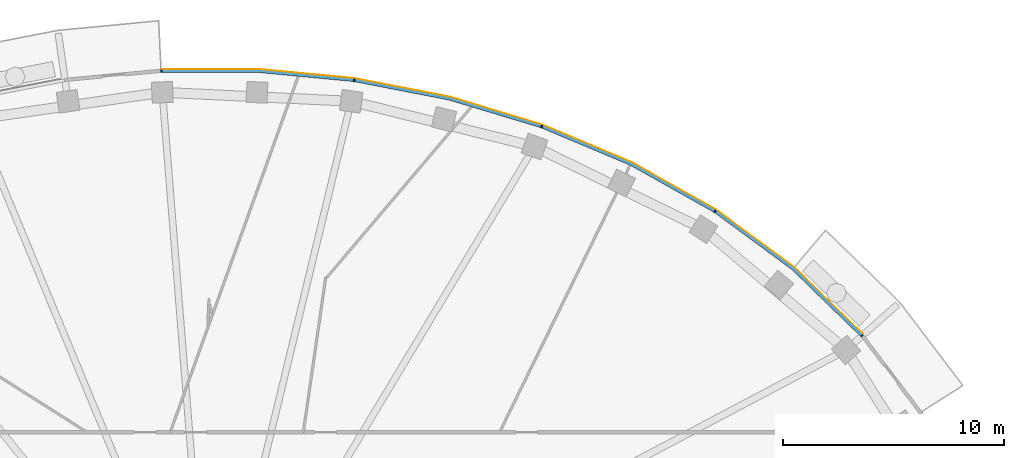
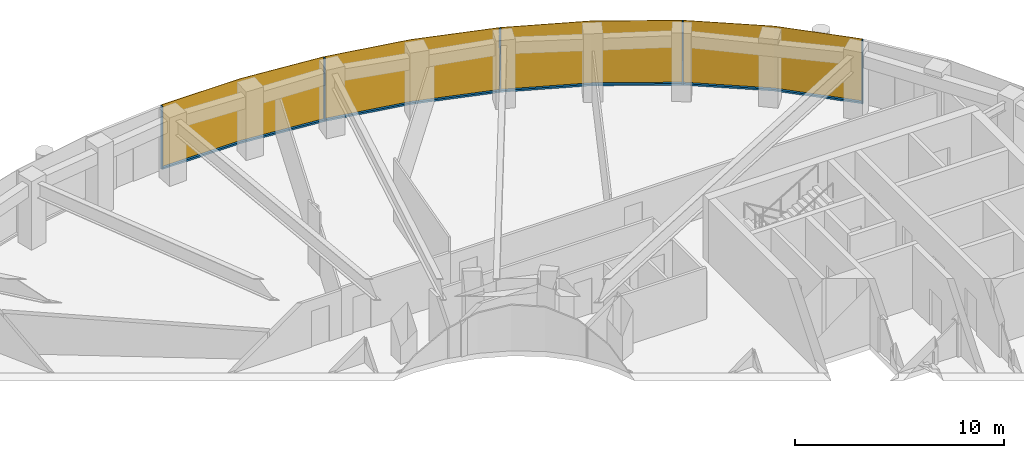
# One storey, part 13 of 16: 9 members, 1 curtain wall.
"""IFC4 building model written with IfcOpenShell, lengths in metres."""

from ifc_helpers import new_model, si_unit, direction, frame, origin, origin_2d, place, context, subcontext, project, spatial, polyline, rectangle, outline, extrude, material, layer, layer_set, material_profile, profile_set, type_object, element, aggregate, save


model = new_model("IFC4")

# Units and contexts
model_context = context("Model", 3, precision=1e-05, world=origin(), true_north=direction((0.0, 1.0)))
body_context = subcontext(model_context, "Body", "Model", "MODEL_VIEW")
ifc_project = project(units=[si_unit("LENGTHUNIT", "METRE"), si_unit("AREAUNIT", "SQUARE_METRE"), si_unit("VOLUMEUNIT", "CUBIC_METRE"), si_unit("PLANEANGLEUNIT", "RADIAN"), si_unit("MASSUNIT", "GRAM", prefix="KILO")], contexts=[model_context])

# Member
ifc_material_1 = material(Name="Aluminium 6063-T6 black anodised", Category="aluminium")
ifc_material_profile = material_profile(ifc_material_1, rectangle(XDim=0.1201171875, YDim=0.06005859375, at=origin_2d()), Name="120x60")
ifc_profile_set = profile_set([ifc_material_profile], Name="Aluminium 6063-T6 black anodised")
member_type_1 = type_object("IfcMemberType", Name="ENV-MULLION-A-120", PredefinedType="MULLION", material=ifc_profile_set)
site_placement = place(None, origin())
building_placement = place(site_placement, origin())
storey_placement = place(building_placement, frame((0.0, 0.0, 299.0)))
member_1_placement = place(storey_placement, frame((29.53857421875, 15.8671875, 0.0), z_axis=(0.0, 0.0, 1.0), x_axis=(-0.749047221705, -0.662516610853, 0.0)))
member_1 = element("IfcMember", 1, at=member_1_placement, type_object=member_type_1, Name="Mullion A radial 05", PredefinedType="MULLION", context=body_context, shape_type="SweptSolid", body=[
    extrude(rectangle(XDim=0.1201171875, YDim=0.06005859375, at=origin_2d()), origin(), (0.0, 0.0, 1.0), 3.699951171875),
])

member_2_placement = place(storey_placement, frame((22.882568359375, 21.506591796875, 0.0), z_axis=(0.0, 0.0, 1.0), x_axis=(-0.542279153225, -0.840198381323, 0.0)))
member_2 = element("IfcMember", 2, at=member_2_placement, type_object=member_type_1, Name="Mullion A radial 07", PredefinedType="MULLION", context=body_context, shape_type="SweptSolid", body=[
    extrude(rectangle(XDim=0.1201171875, YDim=0.06005859375, at=origin_2d()), origin(), (0.0, 0.0, 1.0), 3.699951171875),
])

member_3_placement = place(storey_placement, frame((15.0341796875, 25.34375, 0.0), z_axis=(0.0, 0.0, 1.0), x_axis=(-0.338379256581, -0.941009818608, 0.0)))
member_3 = element("IfcMember", 3, at=member_3_placement, type_object=member_type_1, Name="Mullion A radial 09", PredefinedType="MULLION", context=body_context, shape_type="SweptSolid", body=[
    extrude(rectangle(XDim=0.1201171875, YDim=0.06005859375, at=origin_2d()), origin(), (0.0, 0.0, 1.0), 3.699951171875),
])

member_4_placement = place(storey_placement, frame((6.54638671875, 27.440185546875, 0.0), z_axis=(0.0, 0.0, 1.0), x_axis=(-0.143082012705, -0.989710835366, 0.0)))
member_4 = element("IfcMember", 4, at=member_4_placement, type_object=member_type_1, Name="Mullion A radial 11", PredefinedType="MULLION", context=body_context, shape_type="SweptSolid", body=[
    extrude(rectangle(XDim=0.1201171875, YDim=0.06005859375, at=origin_2d()), origin(), (0.0, 0.0, 1.0), 3.699951171875),
])

member_5_placement = place(storey_placement, frame((-2.188720703125, 27.856201171875, 0.0), z_axis=(0.0, 0.0, 1.0), x_axis=(0.047557873581, -0.998868484166, 0.0)))
member_5 = element("IfcMember", 5, at=member_5_placement, type_object=member_type_1, Name="Mullion A radial 13", PredefinedType="MULLION", context=body_context, shape_type="SweptSolid", body=[
    extrude(rectangle(XDim=0.1201171875, YDim=0.06005859375, at=origin_2d()), origin(), (0.0, 0.0, 1.0), 3.699951171875),
])

ifc_material_2 = material(Name="Aluminium 6063-T6 black anodised", Category="aluminium")
member_type_2 = type_object("IfcMemberType", Name="ENV-TRANSOM-A", PredefinedType="USERDEFINED", material=ifc_material_2)
member_6_placement = place(storey_placement, origin())
member_6 = element("IfcMember", 6, at=member_6_placement, type_object=member_type_2, Name="Transom A radial 05-07", ObjectType="TRANSOM", PredefinedType="USERDEFINED", context=body_context, shape_type="SweptSolid", body=[
    extrude(outline(polyline([(29.5634765625, 15.926513671875), (26.4423828125, 18.958740234375), (22.937744140625, 21.540283203125), (22.87255859375, 21.439208984375), (26.364501953125, 18.866943359375), (29.473388671875, 15.8466796875), (29.5634765625, 15.926513671875)])), origin(), (0.0, 0.0, 1.0), 0.10009765625),
])

member_7_placement = place(storey_placement, origin())
member_7 = element("IfcMember", 7, at=member_7_placement, type_object=member_type_2, Name="Transom A radial 07-09", ObjectType="TRANSOM", PredefinedType="USERDEFINED", context=body_context, shape_type="SweptSolid", body=[
    extrude(outline(polyline([(22.890625, 21.570556640625), (19.093994140625, 23.701416015625), (15.080322265625, 25.389404296875), (15.03955078125, 25.276123046875), (19.041259765625, 23.593505859375), (22.825439453125, 21.469482421875), (22.890625, 21.570556640625)])), origin(), (0.0, 0.0, 1.0), 0.10009765625),
])

member_8_placement = place(storey_placement, origin())
member_8 = element("IfcMember", 8, at=member_8_placement, type_object=member_type_2, Name="Transom A radial 09-11", ObjectType="TRANSOM", PredefinedType="USERDEFINED", context=body_context, shape_type="SweptSolid", body=[
    extrude(outline(polyline([(15.027587890625, 25.408203125), (10.857666015625, 26.6630859375), (6.58251953125, 27.494140625), (6.5654296875, 27.375244140625), (10.828857421875, 26.54638671875), (14.987060546875, 25.295166015625), (15.027587890625, 25.408203125)])), origin(), (0.0, 0.0, 1.0), 0.10009765625),
])

member_9_placement = place(storey_placement, origin())
member_9 = element("IfcMember", 9, at=member_9_placement, type_object=member_type_2, Name="Transom A radial 11-13", ObjectType="TRANSOM", PredefinedType="USERDEFINED", context=body_context, shape_type="SweptSolid", body=[
    extrude(outline(polyline([(6.527099609375, 27.502197265625), (2.191650390625, 27.916015625), (-2.163818359375, 27.916015625), (-2.157958984375, 27.7958984375), (2.185791015625, 27.7958984375), (6.510009765625, 27.38330078125), (6.527099609375, 27.502197265625)])), origin(), (0.0, 0.0, 1.0), 0.10009765625),
])

# Site, building, storey
site = spatial("IfcSite", under=ifc_project, at=site_placement, CompositionType="ELEMENT")
building = spatial("IfcBuilding", under=site, at=building_placement, Name="Noorbagh Ring Tower", CompositionType="ELEMENT")
storey = spatial("IfcBuildingStorey", under=building, at=storey_placement, Name="L64", CompositionType="ELEMENT", Elevation=299.0)

# Curtain wall
ifc_material_3 = material(Name="Glass dark tinted laminated", Category="glass")
ifc_layer = layer(ifc_material_3, 0.031982421875)
ifc_layer_set = layer_set([ifc_layer], Name="Glass dark tinted laminated")
curtain_wall_type = type_object("IfcCurtainWallType", Name="ENV-CW-A", PredefinedType="NOTDEFINED", material=ifc_layer_set)
curtain_wall_placement = place(storey_placement, origin())
curtain_wall = element("IfcCurtainWall", 10, at=curtain_wall_placement, inside=storey, type_object=curtain_wall_type, Name="Curtain wall A R05", PredefinedType="NOTDEFINED", context=body_context, shape_type="SweptSolid", body=[
    extrude(outline(polyline([(29.59326171875, 15.942138671875), (26.463134765625, 18.9833984375), (22.9326171875, 21.583740234375), (19.108154296875, 23.730224609375), (15.065185546875, 25.430419921875), (10.865234375, 26.6943359375), (6.559814453125, 27.53125), (2.193115234375, 27.947998046875), (-2.173095703125, 27.947998046875), (-2.171630859375, 27.916015625), (2.191650390625, 27.916015625), (6.55517578125, 27.49951171875), (10.857666015625, 26.6630859375), (15.054443359375, 25.400146484375), (19.093994140625, 23.701416015625), (22.9150390625, 21.556884765625), (26.4423828125, 18.958740234375), (29.569091796875, 15.9208984375), (29.59326171875, 15.942138671875)])), origin(), (0.0, 0.0, 1.0), 3.699951171875),
])

aggregate(curtain_wall, [member_1, member_2, member_3, member_4, member_5, member_6, member_7, member_8, member_9])

save(model, "model.ifc")
